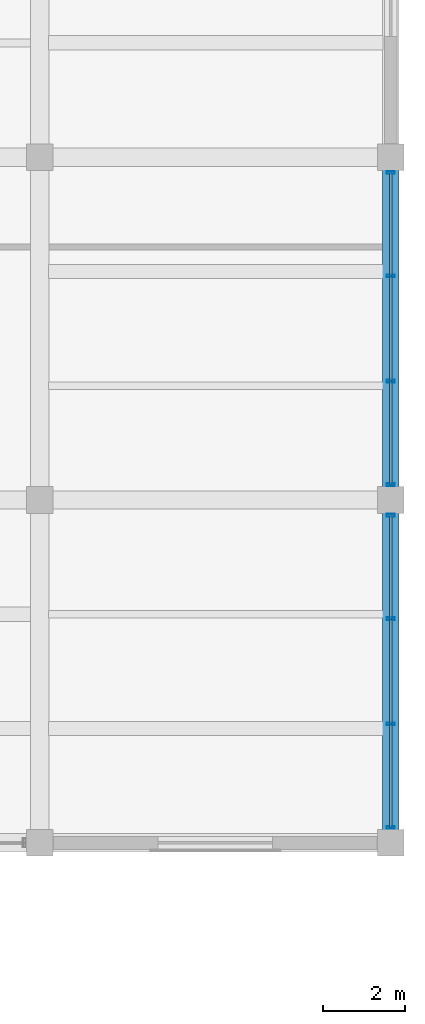
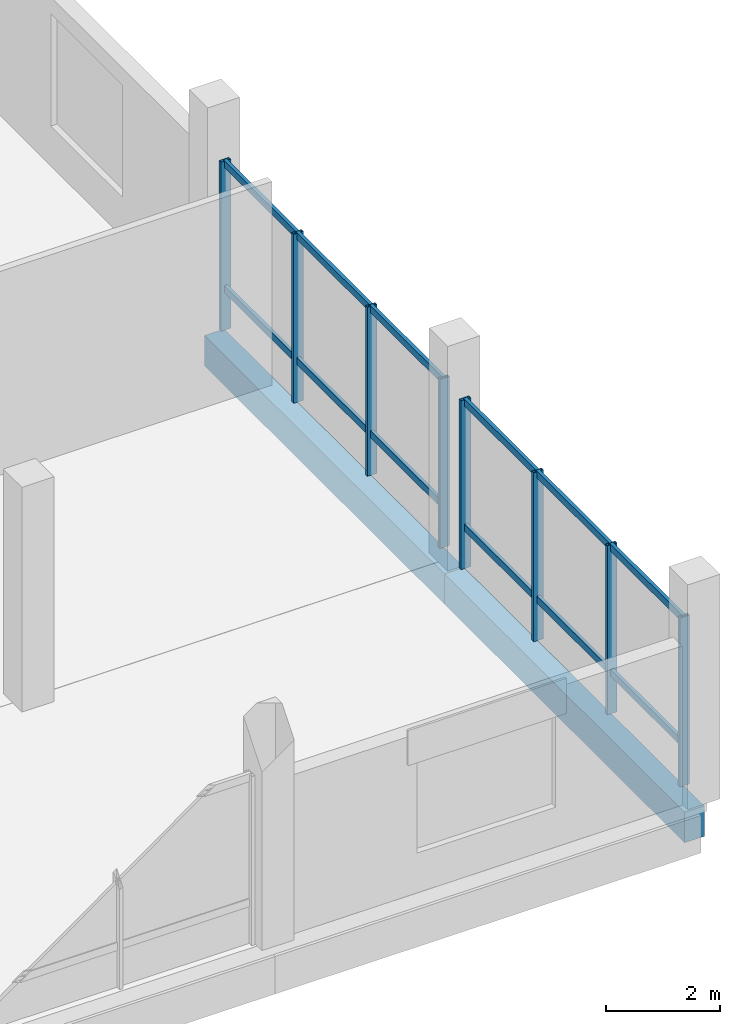
# One storey, part 45 of 71: 20 members, 2 beams, 2 elements without a shape of their own.
"""IFC4 building model written with IfcOpenShell, lengths in metres."""

from ifc_helpers import new_model, si_unit, direction, frame, origin, origin_2d, place, context, subcontext, project, spatial, rectangle, hollow_rectangle, extrude, material, layer, layer_set, material_profile, profile_set, type_object, element, aggregate, save


model = new_model("IFC4")

# Units and contexts
model_context = context("Model", 3, precision=1e-05, world=origin(), true_north=direction((0.0, 1.0)))
body_context = subcontext(model_context, "Body", "Model", "MODEL_VIEW")
ifc_project = project(units=[si_unit("LENGTHUNIT", "METRE"), si_unit("AREAUNIT", "SQUARE_METRE"), si_unit("VOLUMEUNIT", "CUBIC_METRE"), si_unit("PLANEANGLEUNIT", "RADIAN"), si_unit("MASSUNIT", "GRAM", prefix="KILO")], contexts=[model_context])

# Site, building, storey
site_placement = place(None, origin())
site = spatial("IfcSite", under=ifc_project, at=site_placement, CompositionType="ELEMENT")
building_placement = place(site_placement, origin())
building = spatial("IfcBuilding", under=site, at=building_placement, Name="Meriwether Solvik Hall", CompositionType="ELEMENT")
storey_placement = place(building_placement, frame((0.0, 0.0, 5.10009765625)))
storey = spatial("IfcBuildingStorey", under=building, at=storey_placement, Name="L01", CompositionType="ELEMENT", Elevation=5.10009765625)

# Beams
ifc_material_1 = material(Name="Concrete C40/50", Category="concrete")
ifc_material_profile_1 = material_profile(ifc_material_1, rectangle(XDim=0.39990234375, YDim=0.64990234375, at=origin_2d()), Name="RCB-400X650")
ifc_profile_set_1 = profile_set([ifc_material_profile_1], Name="Concrete C40/50")
beam_type = type_object("IfcBeamType", Name="BM-RC-400X650", PredefinedType="SPANDREL", material=ifc_profile_set_1)
beam_1_placement = place(storey_placement, frame((166.800048828125, 50.0, -0.625), z_axis=(0.0, 1.0, 0.0), x_axis=(-1.0, 0.0, 0.0)))
element("IfcBeam", 1, at=beam_1_placement, inside=storey, type_object=beam_type, Name="Podium Girder 19:F-G (L01)", PredefinedType="SPANDREL", context=body_context, shape_type="SweptSolid", body=[
    extrude(rectangle(XDim=0.39990234375, YDim=0.64990234375, at=origin_2d()), origin(), (0.0, 0.0, 1.0), 8.39990234375),
])
beam_2_placement = place(storey_placement, frame((166.800048828125, 58.39990234375, -0.625), z_axis=(0.0, 1.0, 0.0), x_axis=(-1.0, 0.0, 0.0)))
element("IfcBeam", 2, at=beam_2_placement, inside=storey, type_object=beam_type, Name="Podium Girder 19:G-H (L01)", PredefinedType="SPANDREL", context=body_context, shape_type="SweptSolid", body=[
    extrude(rectangle(XDim=0.39990234375, YDim=0.64990234375, at=origin_2d()), origin(), (0.0, 0.0, 1.0), 8.400146484375),
])

# Curtain wall, members
ifc_material_2 = material(Name="Thermally Broken Anodised Aluminium 6063-T6 and Low-E Glass", Category="aluminium")
ifc_layer = layer(ifc_material_2, 0.179931640625)
ifc_layer_set = layer_set([ifc_layer], Name="Thermally Broken Anodised Aluminium 6063-T6 and Low-E Glass")
curtain_wall_type = type_object("IfcCurtainWallType", Name="CW-SF-POD-B", PredefinedType="USERDEFINED", material=ifc_layer_set)
curtain_wall_1_placement = place(storey_placement, origin())
curtain_wall_1 = element("IfcCurtainWall", 3, at=curtain_wall_1_placement, inside=storey, type_object=curtain_wall_type, Name="Curtain Wall wing_Y19_6_54 (L01)", ObjectType="STICK STOREFRONT GLAZING", PredefinedType="USERDEFINED")
ifc_material_3 = material(Name="Anodised Aluminium 6063-T6", Category="aluminium")
ifc_material_profile_2 = material_profile(ifc_material_3, hollow_rectangle(XDim=0.070068359375, YDim=0.199951171875, WallThickness=0.0048828125, at=origin_2d()), Name="CWM-70X200")
ifc_profile_set_2 = profile_set([ifc_material_profile_2], Name="Anodised Aluminium 6063-T6")
member_type_1 = type_object("IfcMemberType", Name="CW-MUL-70X200", PredefinedType="MULLION", material=ifc_profile_set_2)
member_1_placement = place(storey_placement, frame((166.800048828125, 58.02490234375, 0.0), z_axis=(0.0, 0.0, 1.0), x_axis=(0.0, -1.0, 0.0)))
member_1 = element("IfcMember", 4, at=member_1_placement, type_object=member_type_1, Name="Curtain Wall Mullion 1", PredefinedType="MULLION", context=body_context, shape_type="SweptSolid", body=[
    extrude(hollow_rectangle(XDim=0.070068359375, YDim=0.199951171875, WallThickness=0.0048828125, at=origin_2d()), origin(), (0.0, 0.0, 1.0), 3.60986328125),
])
member_2_placement = place(storey_placement, frame((166.800048828125, 55.487548828125, 0.0), z_axis=(0.0, 0.0, 1.0), x_axis=(0.0, -1.0, 0.0)))
member_2 = element("IfcMember", 5, at=member_2_placement, type_object=member_type_1, Name="Curtain Wall Mullion 2", PredefinedType="MULLION", context=body_context, shape_type="SweptSolid", body=[
    extrude(hollow_rectangle(XDim=0.070068359375, YDim=0.199951171875, WallThickness=0.0048828125, at=origin_2d()), origin(), (0.0, 0.0, 1.0), 3.60986328125),
])
member_3_placement = place(storey_placement, frame((166.800048828125, 52.912353515625, 0.0), z_axis=(0.0, 0.0, 1.0), x_axis=(0.0, -1.0, 0.0)))
member_3 = element("IfcMember", 6, at=member_3_placement, type_object=member_type_1, Name="Curtain Wall Mullion 3", PredefinedType="MULLION", context=body_context, shape_type="SweptSolid", body=[
    extrude(hollow_rectangle(XDim=0.070068359375, YDim=0.199951171875, WallThickness=0.0048828125, at=origin_2d()), origin(), (0.0, 0.0, 1.0), 3.60986328125),
])
member_4_placement = place(storey_placement, frame((166.800048828125, 50.375, 0.0), z_axis=(0.0, 0.0, 1.0), x_axis=(0.0, -1.0, 0.0)))
member_4 = element("IfcMember", 7, at=member_4_placement, type_object=member_type_1, Name="Curtain Wall Mullion 4", PredefinedType="MULLION", context=body_context, shape_type="SweptSolid", body=[
    extrude(hollow_rectangle(XDim=0.070068359375, YDim=0.199951171875, WallThickness=0.0048828125, at=origin_2d()), origin(), (0.0, 0.0, 1.0), 3.60986328125),
])

curtain_wall_2_placement = place(storey_placement, origin())
curtain_wall_2 = element("IfcCurtainWall", 8, at=curtain_wall_2_placement, inside=storey, type_object=curtain_wall_type, Name="Curtain Wall wing_Y19_7_55 (L01)", ObjectType="STICK STOREFRONT GLAZING", PredefinedType="USERDEFINED")
member_5_placement = place(storey_placement, frame((166.800048828125, 66.425048828125, 0.0), z_axis=(0.0, 0.0, 1.0), x_axis=(0.0, -1.0, 0.0)))
member_5 = element("IfcMember", 9, at=member_5_placement, type_object=member_type_1, Name="Curtain Wall Mullion 1", PredefinedType="MULLION", context=body_context, shape_type="SweptSolid", body=[
    extrude(hollow_rectangle(XDim=0.070068359375, YDim=0.199951171875, WallThickness=0.0048828125, at=origin_2d()), origin(), (0.0, 0.0, 1.0), 3.60986328125),
])
member_6_placement = place(storey_placement, frame((166.800048828125, 63.8876953125, 0.0), z_axis=(0.0, 0.0, 1.0), x_axis=(0.0, -1.0, 0.0)))
member_6 = element("IfcMember", 10, at=member_6_placement, type_object=member_type_1, Name="Curtain Wall Mullion 2", PredefinedType="MULLION", context=body_context, shape_type="SweptSolid", body=[
    extrude(hollow_rectangle(XDim=0.070068359375, YDim=0.199951171875, WallThickness=0.0048828125, at=origin_2d()), origin(), (0.0, 0.0, 1.0), 3.60986328125),
])
member_7_placement = place(storey_placement, frame((166.800048828125, 61.312255859375, 0.0), z_axis=(0.0, 0.0, 1.0), x_axis=(0.0, -1.0, 0.0)))
member_7 = element("IfcMember", 11, at=member_7_placement, type_object=member_type_1, Name="Curtain Wall Mullion 3", PredefinedType="MULLION", context=body_context, shape_type="SweptSolid", body=[
    extrude(hollow_rectangle(XDim=0.070068359375, YDim=0.199951171875, WallThickness=0.0048828125, at=origin_2d()), origin(), (0.0, 0.0, 1.0), 3.60986328125),
])
member_8_placement = place(storey_placement, frame((166.800048828125, 58.77490234375, 0.0), z_axis=(0.0, 0.0, 1.0), x_axis=(0.0, -1.0, 0.0)))
member_8 = element("IfcMember", 12, at=member_8_placement, type_object=member_type_1, Name="Curtain Wall Mullion 4", PredefinedType="MULLION", context=body_context, shape_type="SweptSolid", body=[
    extrude(hollow_rectangle(XDim=0.070068359375, YDim=0.199951171875, WallThickness=0.0048828125, at=origin_2d()), origin(), (0.0, 0.0, 1.0), 3.60986328125),
])

# Member
ifc_material_4 = material(Name="Anodised Aluminium 6063-T6", Category="aluminium")
ifc_material_profile_3 = material_profile(ifc_material_4, hollow_rectangle(XDim=0.070068359375, YDim=0.14990234375, WallThickness=0.0048828125, at=origin_2d()), Name="CWT-70X150")
ifc_profile_set_3 = profile_set([ifc_material_profile_3], Name="Anodised Aluminium 6063-T6")
member_type_2 = type_object("IfcMemberType", Name="CW-TRN-70X150", PredefinedType="USERDEFINED", material=ifc_profile_set_3)
member_9_placement = place(storey_placement, frame((166.800048828125, 58.02490234375, 0.8798828125), z_axis=(0.0, -1.0, 0.0), x_axis=(1.0, 0.0, 0.0)))
member_9 = element("IfcMember", 13, at=member_9_placement, type_object=member_type_2, Name="Curtain Wall Transom 1-sill", ObjectType="TRANSOM", PredefinedType="USERDEFINED", context=body_context, shape_type="SweptSolid", body=[
    extrude(hollow_rectangle(XDim=0.070068359375, YDim=0.14990234375, WallThickness=0.0048828125, at=origin_2d()), origin(), (0.0, 0.0, 1.0), 2.537353515625),
])

member_10_placement = place(storey_placement, frame((166.800048828125, 58.02490234375, 3.5498046875), z_axis=(0.0, -1.0, 0.0), x_axis=(1.0, 0.0, 0.0)))
member_10 = element("IfcMember", 14, at=member_10_placement, type_object=member_type_2, Name="Curtain Wall Transom 1-head", ObjectType="TRANSOM", PredefinedType="USERDEFINED", context=body_context, shape_type="SweptSolid", body=[
    extrude(hollow_rectangle(XDim=0.070068359375, YDim=0.14990234375, WallThickness=0.0048828125, at=origin_2d()), origin(), (0.0, 0.0, 1.0), 2.537353515625),
])

member_11_placement = place(storey_placement, frame((166.800048828125, 55.487548828125, 0.8798828125), z_axis=(0.0, -1.0, 0.0), x_axis=(1.0, 0.0, 0.0)))
member_11 = element("IfcMember", 15, at=member_11_placement, type_object=member_type_2, Name="Curtain Wall Transom 2-sill", ObjectType="TRANSOM", PredefinedType="USERDEFINED", context=body_context, shape_type="SweptSolid", body=[
    extrude(hollow_rectangle(XDim=0.070068359375, YDim=0.14990234375, WallThickness=0.0048828125, at=origin_2d()), origin(), (0.0, 0.0, 1.0), 2.5751953125),
])

member_12_placement = place(storey_placement, frame((166.800048828125, 55.487548828125, 3.5498046875), z_axis=(0.0, -1.0, 0.0), x_axis=(1.0, 0.0, 0.0)))
member_12 = element("IfcMember", 16, at=member_12_placement, type_object=member_type_2, Name="Curtain Wall Transom 2-head", ObjectType="TRANSOM", PredefinedType="USERDEFINED", context=body_context, shape_type="SweptSolid", body=[
    extrude(hollow_rectangle(XDim=0.070068359375, YDim=0.14990234375, WallThickness=0.0048828125, at=origin_2d()), origin(), (0.0, 0.0, 1.0), 2.5751953125),
])

member_13_placement = place(storey_placement, frame((166.800048828125, 52.912353515625, 0.8798828125), z_axis=(0.0, -1.0, 0.0), x_axis=(1.0, 0.0, 0.0)))
member_13 = element("IfcMember", 17, at=member_13_placement, type_object=member_type_2, Name="Curtain Wall Transom 3-sill", ObjectType="TRANSOM", PredefinedType="USERDEFINED", context=body_context, shape_type="SweptSolid", body=[
    extrude(hollow_rectangle(XDim=0.070068359375, YDim=0.14990234375, WallThickness=0.0048828125, at=origin_2d()), origin(), (0.0, 0.0, 1.0), 2.537353515625),
])

member_14_placement = place(storey_placement, frame((166.800048828125, 52.912353515625, 3.5498046875), z_axis=(0.0, -1.0, 0.0), x_axis=(1.0, 0.0, 0.0)))
member_14 = element("IfcMember", 18, at=member_14_placement, type_object=member_type_2, Name="Curtain Wall Transom 3-head", ObjectType="TRANSOM", PredefinedType="USERDEFINED", context=body_context, shape_type="SweptSolid", body=[
    extrude(hollow_rectangle(XDim=0.070068359375, YDim=0.14990234375, WallThickness=0.0048828125, at=origin_2d()), origin(), (0.0, 0.0, 1.0), 2.537353515625),
])

aggregate(curtain_wall_1, [member_1, member_2, member_3, member_4, member_9, member_10, member_11, member_12, member_13, member_14])

member_15_placement = place(storey_placement, frame((166.800048828125, 66.425048828125, 0.8798828125), z_axis=(0.0, -1.0, 0.0), x_axis=(1.0, 0.0, 0.0)))
member_15 = element("IfcMember", 19, at=member_15_placement, type_object=member_type_2, Name="Curtain Wall Transom 1-sill", ObjectType="TRANSOM", PredefinedType="USERDEFINED", context=body_context, shape_type="SweptSolid", body=[
    extrude(hollow_rectangle(XDim=0.070068359375, YDim=0.14990234375, WallThickness=0.0048828125, at=origin_2d()), origin(), (0.0, 0.0, 1.0), 2.537353515625),
])

member_16_placement = place(storey_placement, frame((166.800048828125, 66.425048828125, 3.5498046875), z_axis=(0.0, -1.0, 0.0), x_axis=(1.0, 0.0, 0.0)))
member_16 = element("IfcMember", 20, at=member_16_placement, type_object=member_type_2, Name="Curtain Wall Transom 1-head", ObjectType="TRANSOM", PredefinedType="USERDEFINED", context=body_context, shape_type="SweptSolid", body=[
    extrude(hollow_rectangle(XDim=0.070068359375, YDim=0.14990234375, WallThickness=0.0048828125, at=origin_2d()), origin(), (0.0, 0.0, 1.0), 2.537353515625),
])

member_17_placement = place(storey_placement, frame((166.800048828125, 63.8876953125, 0.8798828125), z_axis=(0.0, -1.0, 0.0), x_axis=(1.0, 0.0, 0.0)))
member_17 = element("IfcMember", 21, at=member_17_placement, type_object=member_type_2, Name="Curtain Wall Transom 2-sill", ObjectType="TRANSOM", PredefinedType="USERDEFINED", context=body_context, shape_type="SweptSolid", body=[
    extrude(hollow_rectangle(XDim=0.070068359375, YDim=0.14990234375, WallThickness=0.0048828125, at=origin_2d()), origin(), (0.0, 0.0, 1.0), 2.575439453125),
])

member_18_placement = place(storey_placement, frame((166.800048828125, 63.8876953125, 3.5498046875), z_axis=(0.0, -1.0, 0.0), x_axis=(1.0, 0.0, 0.0)))
member_18 = element("IfcMember", 22, at=member_18_placement, type_object=member_type_2, Name="Curtain Wall Transom 2-head", ObjectType="TRANSOM", PredefinedType="USERDEFINED", context=body_context, shape_type="SweptSolid", body=[
    extrude(hollow_rectangle(XDim=0.070068359375, YDim=0.14990234375, WallThickness=0.0048828125, at=origin_2d()), origin(), (0.0, 0.0, 1.0), 2.575439453125),
])

member_19_placement = place(storey_placement, frame((166.800048828125, 61.312255859375, 0.8798828125), z_axis=(0.0, -1.0, 0.0), x_axis=(1.0, 0.0, 0.0)))
member_19 = element("IfcMember", 23, at=member_19_placement, type_object=member_type_2, Name="Curtain Wall Transom 3-sill", ObjectType="TRANSOM", PredefinedType="USERDEFINED", context=body_context, shape_type="SweptSolid", body=[
    extrude(hollow_rectangle(XDim=0.070068359375, YDim=0.14990234375, WallThickness=0.0048828125, at=origin_2d()), origin(), (0.0, 0.0, 1.0), 2.537353515625),
])

member_20_placement = place(storey_placement, frame((166.800048828125, 61.312255859375, 3.5498046875), z_axis=(0.0, -1.0, 0.0), x_axis=(1.0, 0.0, 0.0)))
member_20 = element("IfcMember", 24, at=member_20_placement, type_object=member_type_2, Name="Curtain Wall Transom 3-head", ObjectType="TRANSOM", PredefinedType="USERDEFINED", context=body_context, shape_type="SweptSolid", body=[
    extrude(hollow_rectangle(XDim=0.070068359375, YDim=0.14990234375, WallThickness=0.0048828125, at=origin_2d()), origin(), (0.0, 0.0, 1.0), 2.537353515625),
])

aggregate(curtain_wall_2, [member_5, member_6, member_7, member_8, member_15, member_16, member_17, member_18, member_19, member_20])

save(model, "model.ifc")
